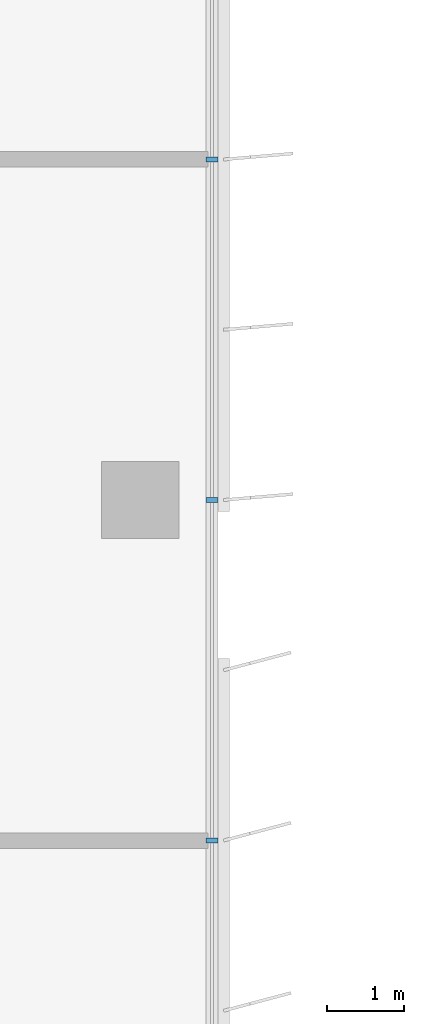
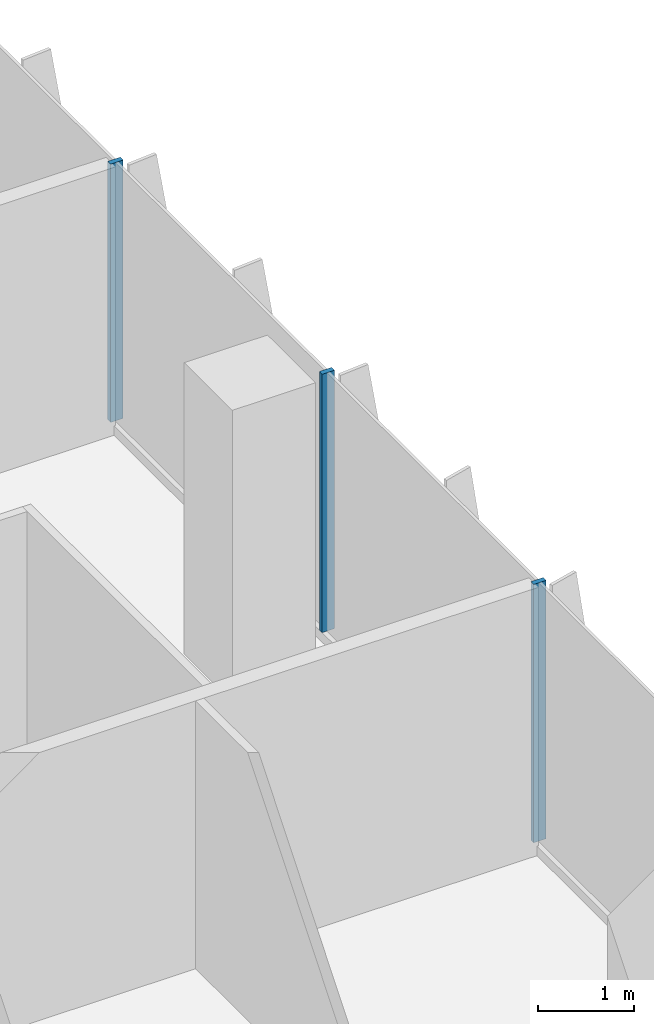
# One storey, part 5 of 20: 3 members, 1 element without a shape of its own.
"""IFC4 building model written with IfcOpenShell, lengths in metres."""

from ifc_helpers import new_model, si_unit, direction, frame, origin, origin_2d, place, context, subcontext, project, spatial, rectangle, extrude, source, transform, mapped, material, material_profile, profile_set, type_object, element, aggregate, save


model = new_model("IFC4")

# Units and contexts
model_context = context("Model", 3, precision=1e-05, world=origin(), true_north=direction((0.0, 1.0)))
body_context = subcontext(model_context, "Body", "Model", "MODEL_VIEW")
ifc_project = project(units=[si_unit("LENGTHUNIT", "METRE"), si_unit("AREAUNIT", "SQUARE_METRE"), si_unit("VOLUMEUNIT", "CUBIC_METRE"), si_unit("PLANEANGLEUNIT", "RADIAN"), si_unit("MASSUNIT", "GRAM", prefix="KILO")], contexts=[model_context])

# Site, building, storey
site_placement = place(None, origin())
site = spatial("IfcSite", under=ifc_project, at=site_placement, CompositionType="ELEMENT")
building_placement = place(site_placement, origin())
building = spatial("IfcBuilding", under=site, at=building_placement, Name="Kemantara Hotel Tower", CompositionType="ELEMENT")
storey_placement = place(building_placement, frame((0.0, 0.0, 186.39990234375)))
storey = spatial("IfcBuildingStorey", under=building, at=storey_placement, Name="L46", CompositionType="ELEMENT", Elevation=186.39990234375)

# Curtain wall, members
ifc_material_1 = material(Name="Low-E tinted double insulated glass 36 mm", Category="glass")
curtain_wall_type = type_object("IfcCurtainWallType", Name="TOWER CURTAIN WALL, FRONT FACES", PredefinedType="USERDEFINED", material=ifc_material_1)
curtain_wall_placement = place(storey_placement, origin())
curtain_wall = element("IfcCurtainWall", 1, at=curtain_wall_placement, inside=storey, type_object=curtain_wall_type, Name="CW4 L46 T3-R17-1", ObjectType="TOWER CURTAIN WALL, FRONT FACES", PredefinedType="USERDEFINED")
ifc_material_2 = material(Name="Aluminium 6063-T6 bronze anodised", Category="aluminium")
ifc_material_profile = material_profile(ifc_material_2, rectangle(XDim=0.14990234375, YDim=0.06005859375, at=origin_2d()), Name="TOWER CURTAIN WALL, FRONT FACES MULLION")
ifc_profile_set = profile_set([ifc_material_profile], Name="Aluminium 6063-T6 bronze anodised")
member_type = type_object("IfcMemberType", Name="TOWER CURTAIN WALL, FRONT FACES MULLION", PredefinedType="MULLION", material=ifc_profile_set)
shared_shape = source(origin(), body_context, "Body", "SweptSolid", [
    extrude(rectangle(XDim=0.14990234375, YDim=0.06005859375, at=origin_2d()), origin(), (0.0, 0.0, 1.0), 3.280029296875),
])
member_1_placement = place(storey_placement, frame((21.925048828125, 31.800048828125, 0.1201171875), z_axis=(0.0, 0.0, 1.0), x_axis=(-1.0, 0.0, 0.0)))
member_1 = element("IfcMember", 2, at=member_1_placement, type_object=member_type, Name="CW4 mullion T3-R17-1.3", PredefinedType="MULLION", context=body_context, shape_type="MappedRepresentation", body=[
    mapped(shared_shape, transform((0.0, 0.0, 0.0))),
])
member_2_placement = place(storey_placement, frame((21.925048828125, 36.199951171875, 0.1201171875), z_axis=(0.0, 0.0, 1.0), x_axis=(-1.0, 0.0, 0.0)))
member_2 = element("IfcMember", 3, at=member_2_placement, type_object=member_type, Name="CW4 mullion T3-R17-1.4", PredefinedType="MULLION", context=body_context, shape_type="MappedRepresentation", body=[
    mapped(shared_shape, transform((0.0, 0.0, 0.0))),
])
member_3_placement = place(storey_placement, frame((21.925048828125, 40.60009765625, 0.1201171875), z_axis=(0.0, 0.0, 1.0), x_axis=(-1.0, 0.0, 0.0)))
member_3 = element("IfcMember", 4, at=member_3_placement, type_object=member_type, Name="CW4 mullion T3-R17-1.5", PredefinedType="MULLION", context=body_context, shape_type="MappedRepresentation", body=[
    mapped(shared_shape, transform((0.0, 0.0, 0.0))),
])
aggregate(curtain_wall, [member_1, member_2, member_3])

save(model, "model.ifc")
